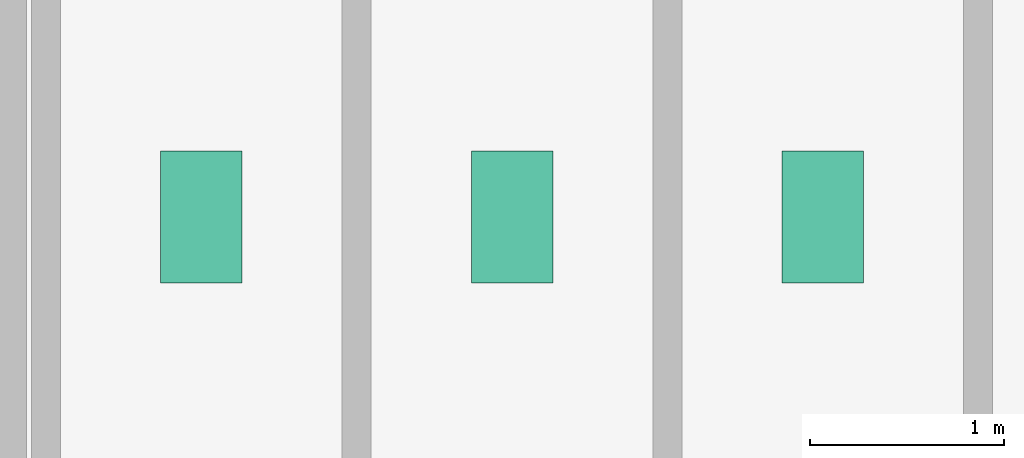
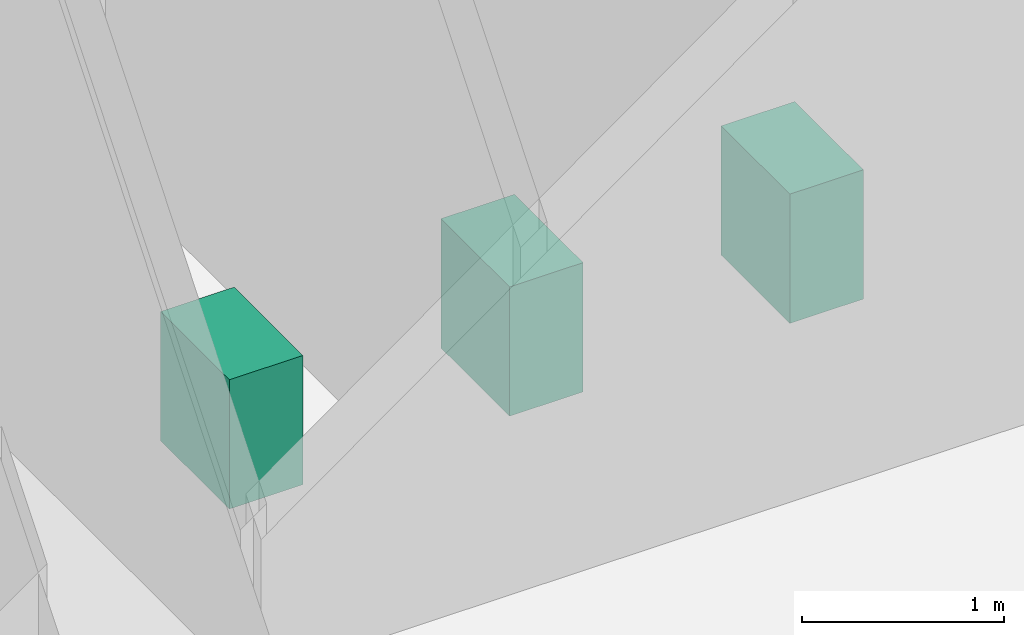
# One storey, part 22 of 22: 3 sanitary terminals.
"""IFC4 building model written with IfcOpenShell, lengths in metres."""

from ifc_helpers import new_model, si_unit, derived_unit, direction, frame, origin, origin_2d, place, context, subcontext, project, spatial, rectangle, extrude, source, transform, mapped, material, type_object, element, save


model = new_model("IFC4")

# Units and contexts
model_context = context("Model", 3, precision=1e-05, world=origin(), true_north=direction((0.0, 1.0)))
body_context = subcontext(model_context, "Body", "Model", "MODEL_VIEW")
ifc_project = project(units=[si_unit("LENGTHUNIT", "METRE"), si_unit("AREAUNIT", "SQUARE_METRE"), si_unit("VOLUMEUNIT", "CUBIC_METRE"), si_unit("PLANEANGLEUNIT", "RADIAN"), si_unit("MASSUNIT", "GRAM", prefix="KILO"), derived_unit("THERMALTRANSMITTANCEUNIT", [(si_unit("POWERUNIT", "WATT"), 1), (si_unit("LENGTHUNIT", "METRE"), -2), (si_unit("THERMODYNAMICTEMPERATUREUNIT", "KELVIN"), -1)])], contexts=[model_context])

# Site, building, storey
site_placement = place(None, origin())
site = spatial("IfcSite", under=ifc_project, at=site_placement, CompositionType="ELEMENT")
building_placement = place(site_placement, origin())
building = spatial("IfcBuilding", under=site, at=building_placement, Name="Skarnbrae Concourse Arena and Tower", CompositionType="ELEMENT")
storey_placement = place(building_placement, frame((0.0, 0.0, 69.0)))
storey = spatial("IfcBuildingStorey", under=building, at=storey_placement, Name="L16", CompositionType="ELEMENT", Elevation=69.0)

# Sanitary terminals
ifc_material = material(Name="Vitreous china sanitaryware", Category="other")
sanitary_terminal_type = type_object("IfcSanitaryTerminalType", Name="SAN-WC-VITREOUS", PredefinedType="TOILETPAN", material=ifc_material)
shared_shape = source(origin(), body_context, "Body", "SweptSolid", [
    extrude(rectangle(XDim=0.419921875, YDim=0.679931640625, at=origin_2d()), origin(), (0.0, 0.0, 1.0), 0.780029296875),
])
for number, where, z_axis, x_axis, name in (
    (1, (35.0, 11.39990234375, 0.0), (0.0, 0.0, 1.0), (1.0, 0.0, 0.0), "L16 Washroom WC fixture 1"),
    (2, (36.60009765625, 11.39990234375, 0.0), (0.0, 0.0, 1.0), (1.0, 0.0, 0.0), "L16 Washroom WC fixture 2"),
    (3, (38.199951171875, 11.39990234375, 0.0), (0.0, 0.0, 1.0), (1.0, 0.0, 0.0), "L16 Washroom WC fixture 3"),
):
    element("IfcSanitaryTerminal", number, at=place(storey_placement, frame(where, z_axis=z_axis, x_axis=x_axis)), inside=storey, type_object=sanitary_terminal_type, Name=name, PredefinedType="TOILETPAN", context=body_context, shape_type="MappedRepresentation", body=[
        mapped(shared_shape, transform((0.0, 0.0, 0.0))),
    ])

save(model, "model.ifc")
